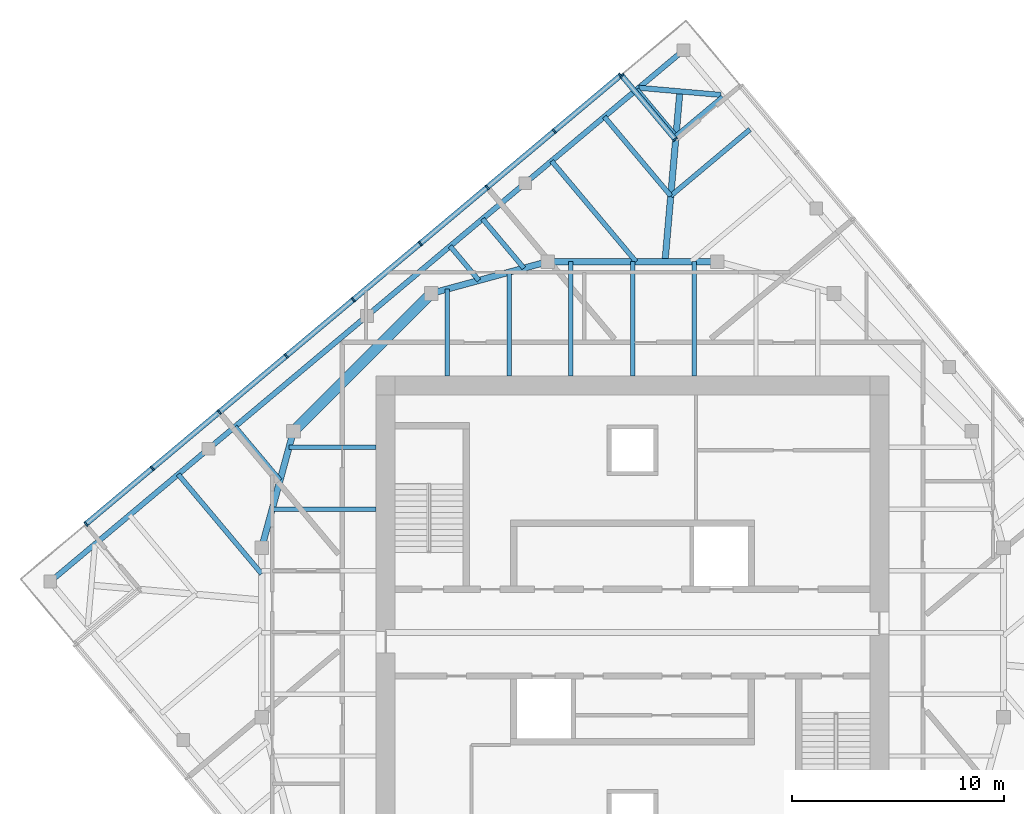
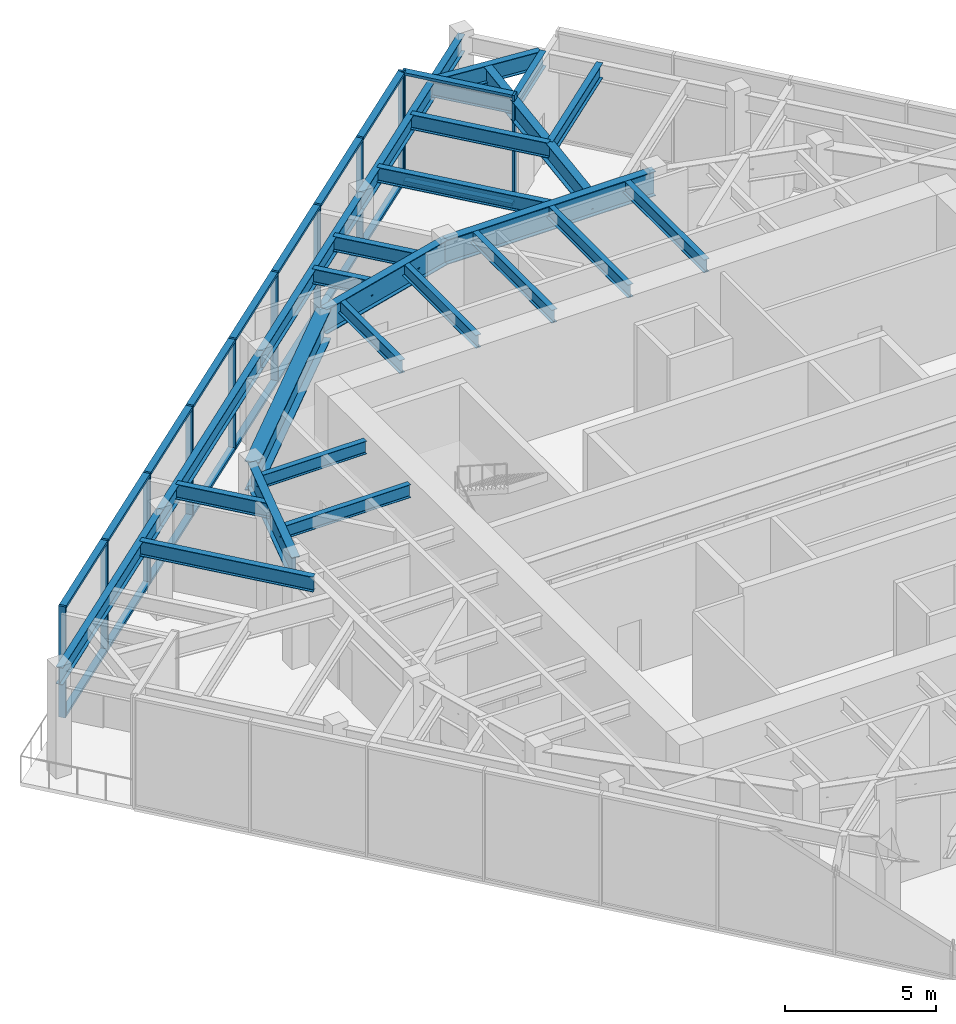
# One storey, part 5 of 11: 29 members, 26 beams, 2 elements without a shape of their own.
"""IFC4 building model written with IfcOpenShell, lengths in metres."""

from ifc_helpers import new_model, si_unit, direction, frame, origin, origin_2d, place, context, subcontext, project, spatial, rectangle, i_section, extrude, material, material_profile, profile_set, type_object, element, aggregate, save


model = new_model("IFC4")

# Units and contexts
model_context = context("Model", 3, precision=1e-05, world=origin(), true_north=direction((0.0, 1.0)))
body_context = subcontext(model_context, "Body", "Model", "MODEL_VIEW")
ifc_project = project(units=[si_unit("LENGTHUNIT", "METRE"), si_unit("AREAUNIT", "SQUARE_METRE"), si_unit("VOLUMEUNIT", "CUBIC_METRE"), si_unit("PLANEANGLEUNIT", "RADIAN"), si_unit("MASSUNIT", "GRAM", prefix="KILO")], contexts=[model_context])

# Site, building, storey
site_placement = place(None, origin())
site = spatial("IfcSite", under=ifc_project, at=site_placement, CompositionType="ELEMENT")
building_placement = place(site_placement, origin())
building = spatial("IfcBuilding", under=site, at=building_placement, Name="Torsade Residences", CompositionType="ELEMENT")
storey_placement = place(building_placement, frame((0.0, 0.0, 304.300048828125)))
storey = spatial("IfcBuildingStorey", under=building, at=storey_placement, Name="L84", CompositionType="ELEMENT", Elevation=304.300048828125)

# Beams
ifc_material_1 = material(Name="Steel grade 300", Category="steel")
ifc_material_profile_1 = material_profile(ifc_material_1, i_section(OverallWidth=0.300048828125, OverallDepth=0.800048828125, WebThickness=0.010009765625, FlangeThickness=0.02001953125, at=origin_2d()), Name="800WB146")
ifc_profile_set_1 = profile_set([ifc_material_profile_1], Name="Steel grade 300")
beam_type_1 = type_object("IfcBeamType", Name="CORNER GIRDER 800WB146", PredefinedType="BEAM", material=ifc_profile_set_1)
beam_1_placement = place(storey_placement, frame((42.234130859375, 55.53515625, 3.849853515625), z_axis=(-0.087172957961, -0.996193191806, 0.0), x_axis=(0.996193191806, -0.087172957961, 0.0)))
element("IfcBeam", 1, at=beam_1_placement, inside=storey, type_object=beam_type_1, Name="Corner girder 09 RF", PredefinedType="BEAM", context=body_context, shape_type="SweptSolid", body=[
    extrude(i_section(OverallWidth=0.300048828125, OverallDepth=0.800048828125, WebThickness=0.010009765625, FlangeThickness=0.02001953125, at=origin_2d()), origin(), (0.0, 0.0, 1.0), 8.06591796875),
])
ifc_material_2 = material(Name="Steel grade 300", Category="steel")
ifc_material_profile_2 = material_profile(ifc_material_2, i_section(OverallWidth=0.25, OverallDepth=0.699951171875, WebThickness=0.010009765625, FlangeThickness=0.02001953125, at=origin_2d()), Name="700WB130")
ifc_profile_set_2 = profile_set([ifc_material_profile_2], Name="Steel grade 300")
beam_type_2 = type_object("IfcBeamType", Name="CORNER TRIMMER 700WB130", PredefinedType="BEAM", material=ifc_profile_set_2)
beam_2_placement = place(storey_placement, frame((40.296875, 55.70458984375, 3.89990234375), z_axis=(0.996196646947, -0.087133464362, 0.0), x_axis=(0.087133464362, 0.996196646947, 0.0)))
element("IfcBeam", 2, at=beam_2_placement, inside=storey, type_object=beam_type_2, Name="Corner trimmer 09 RF", PredefinedType="BEAM", context=body_context, shape_type="SweptSolid", body=[
    extrude(i_section(OverallWidth=0.25, OverallDepth=0.699951171875, WebThickness=0.010009765625, FlangeThickness=0.02001953125, at=origin_2d()), origin(), (0.0, 0.0, 1.0), 3.88916015625),
])
ifc_material_3 = material(Name="Steel grade 300", Category="steel")
ifc_material_profile_3 = material_profile(ifc_material_3, i_section(OverallWidth=0.25, OverallDepth=0.699951171875, WebThickness=0.010009765625, FlangeThickness=0.02001953125, at=origin_2d()), Name="700WB130")
ifc_profile_set_3 = profile_set([ifc_material_profile_3], Name="Steel grade 300")
beam_type_3 = type_object("IfcBeamType", Name="EDGE BEAM 700WB130", PredefinedType="SPANDREL", material=ifc_profile_set_3)
for number, where, z_axis, x_axis, name in (
    (3, (42.403564453125, 57.47216796875, 3.89990234375), (-0.766051532934, -0.642779160279, 0.0), (0.642779160279, -0.766051532934, 0.0), "Edge beam 09 RF"),
    (4, (34.9345703125, 51.205078125, 3.89990234375), (-0.766051532934, -0.642779160279, 0.0), (0.642779160279, -0.766051532934, 0.0), "Edge beam 10 RF"),
    (5, (27.465576171875, 44.93798828125, 3.89990234375), (-0.766028856906, -0.642806184154, 0.0), (0.642806184154, -0.766028856906, 0.0), "Edge beam 11 RF"),
    (6, (19.996826171875, 38.670654296875, 3.89990234375), (-0.766051532934, -0.642779160279, 0.0), (0.642779160279, -0.766051532934, 0.0), "Edge beam 12 RF"),
):
    element("IfcBeam", number, at=place(storey_placement, frame(where, z_axis=z_axis, x_axis=x_axis)), inside=storey, type_object=beam_type_3, Name=name, PredefinedType="SPANDREL", context=body_context, shape_type="SweptSolid", body=[
        extrude(i_section(OverallWidth=0.25, OverallDepth=0.699951171875, WebThickness=0.010009765625, FlangeThickness=0.02001953125, at=origin_2d()), origin(), (0.0, 0.0, 1.0), 9.75),
    ])
ifc_material_4 = material(Name="Steel grade 300", Category="steel")
ifc_material_profile_4 = material_profile(ifc_material_4, i_section(OverallWidth=0.208984375, OverallDepth=0.528076171875, WebThickness=0.009521484375, FlangeThickness=0.01318359375, FilletRadius=0.013916015625, at=origin_2d()), Name="530UB82.0")
ifc_profile_set_4 = profile_set([ifc_material_profile_4], Name="Steel grade 300")
beam_type_4 = type_object("IfcBeamType", Name="INNER FLOOR BEAM 530UB82.0", PredefinedType="JOIST", material=ifc_profile_set_4)
beam_3_placement = place(storey_placement, frame((31.262451171875, 42.10009765625, 3.98583984375), z_axis=(0.0, 1.0, 0.0), x_axis=(-1.0, 0.0, 0.0)))
element("IfcBeam", 7, at=beam_3_placement, inside=storey, type_object=beam_type_4, Name="Inner floor beam IN01 RF", PredefinedType="JOIST", context=body_context, shape_type="SweptSolid", body=[
    extrude(i_section(OverallWidth=0.208984375, OverallDepth=0.528076171875, WebThickness=0.009521484375, FlangeThickness=0.01318359375, FilletRadius=0.013916015625, at=origin_2d()), origin(), (0.0, 0.0, 1.0), 4.10791015625),
])
beam_4_placement = place(storey_placement, frame((34.175048828125, 42.10009765625, 3.98583984375), z_axis=(0.0, 1.0, 0.0), x_axis=(-1.0, 0.0, 0.0)))
element("IfcBeam", 8, at=beam_4_placement, inside=storey, type_object=beam_type_4, Name="Inner floor beam IN02 RF", PredefinedType="JOIST", context=body_context, shape_type="SweptSolid", body=[
    extrude(i_section(OverallWidth=0.208984375, OverallDepth=0.528076171875, WebThickness=0.009521484375, FlangeThickness=0.01318359375, FilletRadius=0.013916015625, at=origin_2d()), origin(), (0.0, 0.0, 1.0), 4.902099609375),
])
for number, where, z_axis, x_axis, name in (
    (9, (37.08740234375, 42.10009765625, 3.98583984375), (0.0, 1.0, 0.0), (-1.0, 0.0, 0.0), "Inner floor beam IN03 RF"),
    (10, (40.0, 42.10009765625, 3.98583984375), (0.0, 1.0, 0.0), (-1.0, 0.0, 0.0), "Inner floor beam IN04 RF"),
    (11, (42.91259765625, 42.10009765625, 3.98583984375), (0.0, 1.0, 0.0), (-1.0, 0.0, 0.0), "Inner floor beam IN05 RF"),
):
    element("IfcBeam", number, at=place(storey_placement, frame(where, z_axis=z_axis, x_axis=x_axis)), inside=storey, type_object=beam_type_4, Name=name, PredefinedType="JOIST", context=body_context, shape_type="SweptSolid", body=[
        extrude(i_section(OverallWidth=0.208984375, OverallDepth=0.528076171875, WebThickness=0.009521484375, FlangeThickness=0.01318359375, FilletRadius=0.013916015625, at=origin_2d()), origin(), (0.0, 0.0, 1.0), 5.39990234375),
    ])
beam_5_placement = place(storey_placement, frame((27.89990234375, 38.737548828125, 3.98583984375), z_axis=(-1.0, 0.0, 0.0), x_axis=(0.0, -1.0, 0.0)))
element("IfcBeam", 12, at=beam_5_placement, inside=storey, type_object=beam_type_4, Name="Inner floor beam IW01 RF", PredefinedType="JOIST", context=body_context, shape_type="SweptSolid", body=[
    extrude(i_section(OverallWidth=0.208984375, OverallDepth=0.528076171875, WebThickness=0.009521484375, FlangeThickness=0.01318359375, FilletRadius=0.013916015625, at=origin_2d()), origin(), (0.0, 0.0, 1.0), 4.10791015625),
])
beam_6_placement = place(storey_placement, frame((27.89990234375, 35.824951171875, 3.98583984375), z_axis=(-1.0, 0.0, 0.0), x_axis=(0.0, -1.0, 0.0)))
element("IfcBeam", 13, at=beam_6_placement, inside=storey, type_object=beam_type_4, Name="Inner floor beam IW02 RF", PredefinedType="JOIST", context=body_context, shape_type="SweptSolid", body=[
    extrude(i_section(OverallWidth=0.208984375, OverallDepth=0.528076171875, WebThickness=0.009521484375, FlangeThickness=0.01318359375, FilletRadius=0.013916015625, at=origin_2d()), origin(), (0.0, 0.0, 1.0), 4.902099609375),
])

# Curtain wall, members
ifc_material_5 = material(Name="Aluminium and glass", Category="aluminium")
curtain_wall_type = type_object("IfcCurtainWallType", Name="PLANT LEVEL LOUVRED CURTAIN WALL", PredefinedType="NOTDEFINED", material=ifc_material_5)
curtain_wall_1_placement = place(storey_placement, origin())
curtain_wall_1 = element("IfcCurtainWall", 14, at=curtain_wall_1_placement, inside=storey, type_object=curtain_wall_type, Name="Curtain wall L84 face 6", PredefinedType="NOTDEFINED")
ifc_material_6 = material(Name="Aluminium mullion", Category="aluminium")
ifc_material_profile_5 = material_profile(ifc_material_6, rectangle(XDim=0.25, YDim=0.080078125, at=origin_2d()), Name="LOUVRE WALL MULLION 250x80")
ifc_profile_set_5 = profile_set([ifc_material_profile_5], Name="Aluminium mullion")
member_type_1 = type_object("IfcMemberType", Name="LOUVRE WALL MULLION 250x80", PredefinedType="MULLION", material=ifc_profile_set_5)
member_1_placement = place(storey_placement, frame((42.008056640625, 53.2763671875, 0.0), z_axis=(0.0, 0.0, 1.0), x_axis=(-0.766044397526, -0.642787664022, 0.0)))
member_1 = element("IfcMember", 15, at=member_1_placement, type_object=member_type_1, Name="Mullion 1", PredefinedType="MULLION", context=body_context, shape_type="SweptSolid", body=[
    extrude(rectangle(XDim=0.25, YDim=0.080078125, at=origin_2d()), origin(), (0.0, 0.0, 1.0), 4.5),
])
member_2_placement = place(storey_placement, frame((39.48828125, 56.279296875, 0.0), z_axis=(0.0, 0.0, 1.0), x_axis=(-0.766044397526, -0.642787664022, 0.0)))
member_2 = element("IfcMember", 16, at=member_2_placement, type_object=member_type_1, Name="Mullion 2", PredefinedType="MULLION", context=body_context, shape_type="SweptSolid", body=[
    extrude(rectangle(XDim=0.25, YDim=0.080078125, at=origin_2d()), origin(), (0.0, 0.0, 1.0), 4.5),
])

curtain_wall_2_placement = place(storey_placement, origin())
curtain_wall_2 = element("IfcCurtainWall", 17, at=curtain_wall_2_placement, inside=storey, type_object=curtain_wall_type, Name="Curtain wall L84 face 7", PredefinedType="NOTDEFINED")
member_3_placement = place(storey_placement, frame((39.431884765625, 56.2841796875, 0.0), z_axis=(0.0, 0.0, 1.0), x_axis=(0.642787616853, -0.766044437106, 0.0)))
member_3 = element("IfcMember", 18, at=member_3_placement, type_object=member_type_1, Name="Mullion 1", PredefinedType="MULLION", context=body_context, shape_type="SweptSolid", body=[
    extrude(rectangle(XDim=0.25, YDim=0.080078125, at=origin_2d()), origin(), (0.0, 0.0, 1.0), 4.5),
])
member_4_placement = place(storey_placement, frame((36.302734375, 53.658447265625, 0.0), z_axis=(0.0, 0.0, 1.0), x_axis=(0.642787616853, -0.766044437106, 0.0)))
member_4 = element("IfcMember", 19, at=member_4_placement, type_object=member_type_1, Name="Mullion 2", PredefinedType="MULLION", context=body_context, shape_type="SweptSolid", body=[
    extrude(rectangle(XDim=0.25, YDim=0.080078125, at=origin_2d()), origin(), (0.0, 0.0, 1.0), 4.5),
])
member_5_placement = place(storey_placement, frame((33.142822265625, 51.0068359375, 0.0), z_axis=(0.0, 0.0, 1.0), x_axis=(0.642787616853, -0.766044437106, 0.0)))
member_5 = element("IfcMember", 20, at=member_5_placement, type_object=member_type_1, Name="Mullion 3", PredefinedType="MULLION", context=body_context, shape_type="SweptSolid", body=[
    extrude(rectangle(XDim=0.25, YDim=0.080078125, at=origin_2d()), origin(), (0.0, 0.0, 1.0), 4.5),
])
member_6_placement = place(storey_placement, frame((29.982666015625, 48.35546875, 0.0), z_axis=(0.0, 0.0, 1.0), x_axis=(0.642787616853, -0.766044437106, 0.0)))
member_6 = element("IfcMember", 21, at=member_6_placement, type_object=member_type_1, Name="Mullion 4", PredefinedType="MULLION", context=body_context, shape_type="SweptSolid", body=[
    extrude(rectangle(XDim=0.25, YDim=0.080078125, at=origin_2d()), origin(), (0.0, 0.0, 1.0), 4.5),
])
member_7_placement = place(storey_placement, frame((26.82275390625, 45.703857421875, 0.0), z_axis=(0.0, 0.0, 1.0), x_axis=(0.642787616853, -0.766044437106, 0.0)))
member_7 = element("IfcMember", 22, at=member_7_placement, type_object=member_type_1, Name="Mullion 5", PredefinedType="MULLION", context=body_context, shape_type="SweptSolid", body=[
    extrude(rectangle(XDim=0.25, YDim=0.080078125, at=origin_2d()), origin(), (0.0, 0.0, 1.0), 4.5),
])
member_8_placement = place(storey_placement, frame((23.662841796875, 43.052490234375, 0.0), z_axis=(0.0, 0.0, 1.0), x_axis=(0.642787616853, -0.766044437106, 0.0)))
member_8 = element("IfcMember", 23, at=member_8_placement, type_object=member_type_1, Name="Mullion 6", PredefinedType="MULLION", context=body_context, shape_type="SweptSolid", body=[
    extrude(rectangle(XDim=0.25, YDim=0.080078125, at=origin_2d()), origin(), (0.0, 0.0, 1.0), 4.5),
])
member_9_placement = place(storey_placement, frame((20.5029296875, 40.40087890625, 0.0), z_axis=(0.0, 0.0, 1.0), x_axis=(0.642787616853, -0.766044437106, 0.0)))
member_9 = element("IfcMember", 24, at=member_9_placement, type_object=member_type_1, Name="Mullion 7", PredefinedType="MULLION", context=body_context, shape_type="SweptSolid", body=[
    extrude(rectangle(XDim=0.25, YDim=0.080078125, at=origin_2d()), origin(), (0.0, 0.0, 1.0), 4.5),
])
member_10_placement = place(storey_placement, frame((17.343017578125, 37.74951171875, 0.0), z_axis=(0.0, 0.0, 1.0), x_axis=(0.642787616853, -0.766044437106, 0.0)))
member_10 = element("IfcMember", 25, at=member_10_placement, type_object=member_type_1, Name="Mullion 8", PredefinedType="MULLION", context=body_context, shape_type="SweptSolid", body=[
    extrude(rectangle(XDim=0.25, YDim=0.080078125, at=origin_2d()), origin(), (0.0, 0.0, 1.0), 4.5),
])
member_11_placement = place(storey_placement, frame((14.2138671875, 35.12353515625, 0.0), z_axis=(0.0, 0.0, 1.0), x_axis=(0.642787616853, -0.766044437106, 0.0)))
member_11 = element("IfcMember", 26, at=member_11_placement, type_object=member_type_1, Name="Mullion 9", PredefinedType="MULLION", context=body_context, shape_type="SweptSolid", body=[
    extrude(rectangle(XDim=0.25, YDim=0.080078125, at=origin_2d()), origin(), (0.0, 0.0, 1.0), 4.5),
])

# Member
ifc_material_7 = material(Name="Aluminium transom", Category="aluminium")
ifc_material_profile_6 = material_profile(ifc_material_7, rectangle(XDim=0.25, YDim=0.110107421875, at=origin_2d()), Name="LOUVRE WALL TRANSOM 250x110")
ifc_profile_set_6 = profile_set([ifc_material_profile_6], Name="Aluminium transom")
member_type_2 = type_object("IfcMemberType", Name="LOUVRE WALL TRANSOM 250x110", PredefinedType="USERDEFINED", material=ifc_profile_set_6)
member_12_placement = place(storey_placement, frame((41.982421875, 53.30712890625, 0.054931640625), z_axis=(-0.642844603577, 0.765996615953, 0.0), x_axis=(-0.765996615953, -0.642844603577, 0.0)))
member_12 = element("IfcMember", 27, at=member_12_placement, type_object=member_type_2, Name="Transom 1.1", ObjectType="TRANSOM", PredefinedType="USERDEFINED", context=body_context, shape_type="SweptSolid", body=[
    extrude(rectangle(XDim=0.25, YDim=0.110107421875, at=origin_2d()), origin(), (0.0, 0.0, 1.0), 3.840087890625),
])

member_13_placement = place(storey_placement, frame((41.982421875, 53.30712890625, 4.445068359375), z_axis=(-0.642844603577, 0.765996615953, 0.0), x_axis=(-0.765996615953, -0.642844603577, 0.0)))
member_13 = element("IfcMember", 28, at=member_13_placement, type_object=member_type_2, Name="Transom 1.2", ObjectType="TRANSOM", PredefinedType="USERDEFINED", context=body_context, shape_type="SweptSolid", body=[
    extrude(rectangle(XDim=0.25, YDim=0.110107421875, at=origin_2d()), origin(), (0.0, 0.0, 1.0), 3.840087890625),
])

aggregate(curtain_wall_1, [member_1, member_2, member_12, member_13])

member_14_placement = place(storey_placement, frame((39.4013671875, 56.258544921875, 0.054931640625), z_axis=(-0.766043394532, -0.642788859341, 0.0), x_axis=(0.642788859341, -0.766043394532, 0.0)))
member_14 = element("IfcMember", 29, at=member_14_placement, type_object=member_type_2, Name="Transom 1.1", ObjectType="TRANSOM", PredefinedType="USERDEFINED", context=body_context, shape_type="SweptSolid", body=[
    extrude(rectangle(XDim=0.25, YDim=0.110107421875, at=origin_2d()), origin(), (0.0, 0.0, 1.0), 4.005126953125),
])

member_15_placement = place(storey_placement, frame((39.4013671875, 56.258544921875, 4.445068359375), z_axis=(-0.766043394532, -0.642788859341, 0.0), x_axis=(0.642788859341, -0.766043394532, 0.0)))
member_15 = element("IfcMember", 30, at=member_15_placement, type_object=member_type_2, Name="Transom 1.2", ObjectType="TRANSOM", PredefinedType="USERDEFINED", context=body_context, shape_type="SweptSolid", body=[
    extrude(rectangle(XDim=0.25, YDim=0.110107421875, at=origin_2d()), origin(), (0.0, 0.0, 1.0), 4.005126953125),
])

member_16_placement = place(storey_placement, frame((36.27197265625, 53.6328125, 0.054931640625), z_axis=(-0.766040060023, -0.642792833221, 0.0), x_axis=(0.642792833221, -0.766040060023, 0.0)))
member_16 = element("IfcMember", 31, at=member_16_placement, type_object=member_type_2, Name="Transom 2.1", ObjectType="TRANSOM", PredefinedType="USERDEFINED", context=body_context, shape_type="SweptSolid", body=[
    extrude(rectangle(XDim=0.25, YDim=0.110107421875, at=origin_2d()), origin(), (0.0, 0.0, 1.0), 4.044921875),
])

member_17_placement = place(storey_placement, frame((36.27197265625, 53.6328125, 4.445068359375), z_axis=(-0.766040060023, -0.642792833221, 0.0), x_axis=(0.642792833221, -0.766040060023, 0.0)))
member_17 = element("IfcMember", 32, at=member_17_placement, type_object=member_type_2, Name="Transom 2.2", ObjectType="TRANSOM", PredefinedType="USERDEFINED", context=body_context, shape_type="SweptSolid", body=[
    extrude(rectangle(XDim=0.25, YDim=0.110107421875, at=origin_2d()), origin(), (0.0, 0.0, 1.0), 4.044921875),
])

member_18_placement = place(storey_placement, frame((33.112060546875, 50.981201171875, 0.054931640625), z_axis=(-0.766040060023, -0.642792833221, 0.0), x_axis=(0.642792833221, -0.766040060023, 0.0)))
member_18 = element("IfcMember", 33, at=member_18_placement, type_object=member_type_2, Name="Transom 3.1", ObjectType="TRANSOM", PredefinedType="USERDEFINED", context=body_context, shape_type="SweptSolid", body=[
    extrude(rectangle(XDim=0.25, YDim=0.110107421875, at=origin_2d()), origin(), (0.0, 0.0, 1.0), 4.044921875),
])

member_19_placement = place(storey_placement, frame((33.112060546875, 50.981201171875, 4.445068359375), z_axis=(-0.766040060023, -0.642792833221, 0.0), x_axis=(0.642792833221, -0.766040060023, 0.0)))
member_19 = element("IfcMember", 34, at=member_19_placement, type_object=member_type_2, Name="Transom 3.2", ObjectType="TRANSOM", PredefinedType="USERDEFINED", context=body_context, shape_type="SweptSolid", body=[
    extrude(rectangle(XDim=0.25, YDim=0.110107421875, at=origin_2d()), origin(), (0.0, 0.0, 1.0), 4.044921875),
])

member_20_placement = place(storey_placement, frame((29.9521484375, 48.32958984375, 0.054931640625), z_axis=(-0.766069780023, -0.642757413132, 0.0), x_axis=(0.642757413132, -0.766069780023, 0.0)))
member_20 = element("IfcMember", 35, at=member_20_placement, type_object=member_type_2, Name="Transom 4.1", ObjectType="TRANSOM", PredefinedType="USERDEFINED", context=body_context, shape_type="SweptSolid", body=[
    extrude(rectangle(XDim=0.25, YDim=0.110107421875, at=origin_2d()), origin(), (0.0, 0.0, 1.0), 4.044921875),
])

member_21_placement = place(storey_placement, frame((29.9521484375, 48.32958984375, 4.445068359375), z_axis=(-0.766069780023, -0.642757413132, 0.0), x_axis=(0.642757413132, -0.766069780023, 0.0)))
member_21 = element("IfcMember", 36, at=member_21_placement, type_object=member_type_2, Name="Transom 4.2", ObjectType="TRANSOM", PredefinedType="USERDEFINED", context=body_context, shape_type="SweptSolid", body=[
    extrude(rectangle(XDim=0.25, YDim=0.110107421875, at=origin_2d()), origin(), (0.0, 0.0, 1.0), 4.044921875),
])

member_22_placement = place(storey_placement, frame((26.792236328125, 45.67822265625, 0.054931640625), z_axis=(-0.766040060023, -0.642792833221, 0.0), x_axis=(0.642792833221, -0.766040060023, 0.0)))
member_22 = element("IfcMember", 37, at=member_22_placement, type_object=member_type_2, Name="Transom 5.1", ObjectType="TRANSOM", PredefinedType="USERDEFINED", context=body_context, shape_type="SweptSolid", body=[
    extrude(rectangle(XDim=0.25, YDim=0.110107421875, at=origin_2d()), origin(), (0.0, 0.0, 1.0), 4.044921875),
])

member_23_placement = place(storey_placement, frame((26.792236328125, 45.67822265625, 4.445068359375), z_axis=(-0.766040060023, -0.642792833221, 0.0), x_axis=(0.642792833221, -0.766040060023, 0.0)))
member_23 = element("IfcMember", 38, at=member_23_placement, type_object=member_type_2, Name="Transom 5.2", ObjectType="TRANSOM", PredefinedType="USERDEFINED", context=body_context, shape_type="SweptSolid", body=[
    extrude(rectangle(XDim=0.25, YDim=0.110107421875, at=origin_2d()), origin(), (0.0, 0.0, 1.0), 4.044921875),
])

member_24_placement = place(storey_placement, frame((23.63232421875, 43.026611328125, 0.054931640625), z_axis=(-0.766040060023, -0.642792833221, 0.0), x_axis=(0.642792833221, -0.766040060023, 0.0)))
member_24 = element("IfcMember", 39, at=member_24_placement, type_object=member_type_2, Name="Transom 6.1", ObjectType="TRANSOM", PredefinedType="USERDEFINED", context=body_context, shape_type="SweptSolid", body=[
    extrude(rectangle(XDim=0.25, YDim=0.110107421875, at=origin_2d()), origin(), (0.0, 0.0, 1.0), 4.044921875),
])

member_25_placement = place(storey_placement, frame((23.63232421875, 43.026611328125, 4.445068359375), z_axis=(-0.766040060023, -0.642792833221, 0.0), x_axis=(0.642792833221, -0.766040060023, 0.0)))
member_25 = element("IfcMember", 40, at=member_25_placement, type_object=member_type_2, Name="Transom 6.2", ObjectType="TRANSOM", PredefinedType="USERDEFINED", context=body_context, shape_type="SweptSolid", body=[
    extrude(rectangle(XDim=0.25, YDim=0.110107421875, at=origin_2d()), origin(), (0.0, 0.0, 1.0), 4.044921875),
])

member_26_placement = place(storey_placement, frame((20.472412109375, 40.375244140625, 0.054931640625), z_axis=(-0.766040060023, -0.642792833221, 0.0), x_axis=(0.642792833221, -0.766040060023, 0.0)))
member_26 = element("IfcMember", 41, at=member_26_placement, type_object=member_type_2, Name="Transom 7.1", ObjectType="TRANSOM", PredefinedType="USERDEFINED", context=body_context, shape_type="SweptSolid", body=[
    extrude(rectangle(XDim=0.25, YDim=0.110107421875, at=origin_2d()), origin(), (0.0, 0.0, 1.0), 4.044921875),
])

member_27_placement = place(storey_placement, frame((20.472412109375, 40.375244140625, 4.445068359375), z_axis=(-0.766040060023, -0.642792833221, 0.0), x_axis=(0.642792833221, -0.766040060023, 0.0)))
member_27 = element("IfcMember", 42, at=member_27_placement, type_object=member_type_2, Name="Transom 7.2", ObjectType="TRANSOM", PredefinedType="USERDEFINED", context=body_context, shape_type="SweptSolid", body=[
    extrude(rectangle(XDim=0.25, YDim=0.110107421875, at=origin_2d()), origin(), (0.0, 0.0, 1.0), 4.044921875),
])

member_28_placement = place(storey_placement, frame((17.3125, 37.7236328125, 0.054931640625), z_axis=(-0.766073410227, -0.642753086451, 0.0), x_axis=(0.642753086451, -0.766073410227, 0.0)))
member_28 = element("IfcMember", 43, at=member_28_placement, type_object=member_type_2, Name="Transom 8.1", ObjectType="TRANSOM", PredefinedType="USERDEFINED", context=body_context, shape_type="SweptSolid", body=[
    extrude(rectangle(XDim=0.25, YDim=0.110107421875, at=origin_2d()), origin(), (0.0, 0.0, 1.0), 4.0048828125),
])

member_29_placement = place(storey_placement, frame((17.3125, 37.7236328125, 4.445068359375), z_axis=(-0.766073410227, -0.642753086451, 0.0), x_axis=(0.642753086451, -0.766073410227, 0.0)))
member_29 = element("IfcMember", 44, at=member_29_placement, type_object=member_type_2, Name="Transom 8.2", ObjectType="TRANSOM", PredefinedType="USERDEFINED", context=body_context, shape_type="SweptSolid", body=[
    extrude(rectangle(XDim=0.25, YDim=0.110107421875, at=origin_2d()), origin(), (0.0, 0.0, 1.0), 4.0048828125),
])

aggregate(curtain_wall_2, [member_3, member_4, member_5, member_6, member_7, member_8, member_9, member_10, member_11, member_14, member_15, member_16, member_17, member_18, member_19, member_20, member_21, member_22, member_23, member_24, member_25, member_26, member_27, member_28, member_29])

# Beams
ifc_material_8 = material(Name="Steel grade 300", Category="steel")
ifc_material_profile_7 = material_profile(ifc_material_8, i_section(OverallWidth=0.5, OverallDepth=1.199951171875, WebThickness=0.01611328125, FlangeThickness=0.0400390625, at=origin_2d()), Name="1200WB455")
ifc_profile_set_7 = profile_set([ifc_material_profile_7], Name="Steel grade 300")
beam_type_5 = type_object("IfcBeamType", Name="RING CORNER GIRDER 1200WB455", PredefinedType="BEAM", material=ifc_profile_set_7)
beam_7_placement = place(storey_placement, frame((30.5, 46.0, 3.64990234375), z_axis=(-0.707106781187, -0.707106781187, 0.0), x_axis=(0.707106781187, -0.707106781187, 0.0)))
element("IfcBeam", 45, at=beam_7_placement, inside=storey, type_object=beam_type_5, Name="Ring girder IR07 RF", PredefinedType="BEAM", context=body_context, shape_type="SweptSolid", body=[
    extrude(i_section(OverallWidth=0.5, OverallDepth=1.199951171875, WebThickness=0.01611328125, FlangeThickness=0.0400390625, at=origin_2d()), origin(), (0.0, 0.0, 1.0), 9.1923828125),
])
ifc_material_9 = material(Name="Steel grade 300", Category="steel")
ifc_material_profile_8 = material_profile(ifc_material_9, i_section(OverallWidth=0.300048828125, OverallDepth=1.0, WebThickness=0.01611328125, FlangeThickness=0.028076171875, at=origin_2d()), Name="1000WB215")
ifc_profile_set_8 = profile_set([ifc_material_profile_8], Name="Steel grade 300")
beam_type_6 = type_object("IfcBeamType", Name="RING GIRDER 1000WB215", PredefinedType="BEAM", material=ifc_profile_set_8)
beam_8_placement = place(storey_placement, frame((44.0, 47.5, 3.75), z_axis=(-1.0, 0.0, 0.0), x_axis=(0.0, -1.0, 0.0)))
element("IfcBeam", 46, at=beam_8_placement, inside=storey, type_object=beam_type_6, Name="Ring girder IR05 RF", PredefinedType="BEAM", context=body_context, shape_type="SweptSolid", body=[
    extrude(i_section(OverallWidth=0.300048828125, OverallDepth=1.0, WebThickness=0.01611328125, FlangeThickness=0.028076171875, at=origin_2d()), origin(), (0.0, 0.0, 1.0), 8.0),
])
for number, where, z_axis, x_axis, name in (
    (47, (36.0, 47.5, 3.75), (-0.964763821238, -0.263117405792, 0.0), (0.263117405792, -0.964763821238, 0.0), "Ring girder IR06 RF"),
    (48, (24.0, 39.5, 3.75), (-0.263117405792, -0.964763821238, 0.0), (0.964763821238, -0.263117405792, 0.0), "Ring girder IR08 RF"),
):
    element("IfcBeam", number, at=place(storey_placement, frame(where, z_axis=z_axis, x_axis=x_axis)), inside=storey, type_object=beam_type_6, Name=name, PredefinedType="BEAM", context=body_context, shape_type="SweptSolid", body=[
        extrude(i_section(OverallWidth=0.300048828125, OverallDepth=1.0, WebThickness=0.01611328125, FlangeThickness=0.028076171875, at=origin_2d()), origin(), (0.0, 0.0, 1.0), 5.700927734375),
    ])
ifc_material_10 = material(Name="Steel grade 300", Category="steel")
ifc_material_profile_9 = material_profile(ifc_material_10, i_section(OverallWidth=0.22900390625, OverallDepth=0.612060546875, WebThickness=0.011962890625, FlangeThickness=0.01953125, FilletRadius=0.013916015625, at=origin_2d()), Name="610UB125")
ifc_profile_set_9 = profile_set([ifc_material_profile_9], Name="Steel grade 300")
beam_type_7 = type_object("IfcBeamType", Name="SECONDARY BEAM 610UB125", PredefinedType="JOIST", material=ifc_profile_set_9)
beam_9_placement = place(storey_placement, frame((45.537109375, 53.73779296875, 3.94384765625), z_axis=(-0.766041186946, -0.642791490223, 0.0), x_axis=(0.642791490223, -0.766041186946, 0.0)))
element("IfcBeam", 49, at=beam_9_placement, inside=storey, type_object=beam_type_7, Name="Floor beam FE11 RF", PredefinedType="JOIST", context=body_context, shape_type="SweptSolid", body=[
    extrude(i_section(OverallWidth=0.22900390625, OverallDepth=0.612060546875, WebThickness=0.011962890625, FlangeThickness=0.01953125, FilletRadius=0.013916015625, at=origin_2d()), origin(), (0.0, 0.0, 1.0), 4.875),
])
for number, where, z_axis, x_axis, name in (
    (50, (44.25146484375, 55.269775390625, 3.94384765625), (-0.766066093402, -0.642761807001, 0.0), (0.642761807001, -0.766066093402, 0.0), "Floor beam FE12 RF"),
    (51, (40.201171875, 55.624267578125, 3.94384765625), (0.642761807001, -0.766066093402, 0.0), (0.766066093402, 0.642761807001, 0.0), "Floor beam FN01 RF"),
):
    element("IfcBeam", number, at=place(storey_placement, frame(where, z_axis=z_axis, x_axis=x_axis)), inside=storey, type_object=beam_type_7, Name=name, PredefinedType="JOIST", context=body_context, shape_type="SweptSolid", body=[
        extrude(i_section(OverallWidth=0.22900390625, OverallDepth=0.612060546875, WebThickness=0.011962890625, FlangeThickness=0.01953125, FilletRadius=0.013916015625, at=origin_2d()), origin(), (0.0, 0.0, 1.0), 2.875),
    ])
beam_10_placement = place(storey_placement, frame((38.6689453125, 54.338623046875, 3.94384765625), z_axis=(0.642820877376, -0.766016526982, 0.0), x_axis=(0.766016526982, 0.642820877376, 0.0)))
element("IfcBeam", 52, at=beam_10_placement, inside=storey, type_object=beam_type_7, Name="Floor beam FN02 RF", PredefinedType="JOIST", context=body_context, shape_type="SweptSolid", body=[
    extrude(i_section(OverallWidth=0.22900390625, OverallDepth=0.612060546875, WebThickness=0.011962890625, FlangeThickness=0.01953125, FilletRadius=0.013916015625, at=origin_2d()), origin(), (0.0, 0.0, 1.0), 4.875),
])
beam_11_placement = place(storey_placement, frame((36.179443359375, 52.24951171875, 3.94384765625), z_axis=(0.642791209238, -0.766041422722, 0.0), x_axis=(0.766041422722, 0.642791209238, 0.0)))
element("IfcBeam", 53, at=beam_11_placement, inside=storey, type_object=beam_type_7, Name="Floor beam FN03 RF", PredefinedType="JOIST", context=body_context, shape_type="SweptSolid", body=[
    extrude(i_section(OverallWidth=0.22900390625, OverallDepth=0.612060546875, WebThickness=0.011962890625, FlangeThickness=0.01953125, FilletRadius=0.013916015625, at=origin_2d()), origin(), (0.0, 0.0, 1.0), 6.199951171875),
])
beam_12_placement = place(storey_placement, frame((32.923828125, 49.517822265625, 3.94384765625), z_axis=(0.64274480196, -0.766080361029, 0.0), x_axis=(0.766080361029, 0.64274480196, 0.0)))
element("IfcBeam", 54, at=beam_12_placement, inside=storey, type_object=beam_type_7, Name="Floor beam FN04 RF", PredefinedType="JOIST", context=body_context, shape_type="SweptSolid", body=[
    extrude(i_section(OverallWidth=0.22900390625, OverallDepth=0.612060546875, WebThickness=0.011962890625, FlangeThickness=0.01953125, FilletRadius=0.013916015625, at=origin_2d()), origin(), (0.0, 0.0, 1.0), 3.03466796875),
])
beam_13_placement = place(storey_placement, frame((31.3916015625, 48.232177734375, 3.94384765625), z_axis=(0.642771977004, -0.766057560226, 0.0), x_axis=(0.766057560226, 0.642771977004, 0.0)))
element("IfcBeam", 55, at=beam_13_placement, inside=storey, type_object=beam_type_7, Name="Floor beam FN05 RF", PredefinedType="JOIST", context=body_context, shape_type="SweptSolid", body=[
    extrude(i_section(OverallWidth=0.22900390625, OverallDepth=0.612060546875, WebThickness=0.011962890625, FlangeThickness=0.01953125, FilletRadius=0.013916015625, at=origin_2d()), origin(), (0.0, 0.0, 1.0), 2.113037109375),
])
beam_14_placement = place(storey_placement, frame((21.241455078125, 39.71533203125, 3.94384765625), z_axis=(0.642786956891, -0.766044990879, 0.0), x_axis=(0.766044990879, 0.642786956891, 0.0)))
element("IfcBeam", 56, at=beam_14_placement, inside=storey, type_object=beam_type_7, Name="Floor beam FN09 RF", PredefinedType="JOIST", context=body_context, shape_type="SweptSolid", body=[
    extrude(i_section(OverallWidth=0.22900390625, OverallDepth=0.612060546875, WebThickness=0.011962890625, FlangeThickness=0.01953125, FilletRadius=0.013916015625, at=origin_2d()), origin(), (0.0, 0.0, 1.0), 3.307861328125),
])
beam_15_placement = place(storey_placement, frame((18.560302734375, 37.465576171875, 3.94384765625), z_axis=(0.642794037701, -0.766039049329, 0.0), x_axis=(0.766039049329, 0.642794037701, 0.0)))
element("IfcBeam", 57, at=beam_15_placement, inside=storey, type_object=beam_type_7, Name="Floor beam FN10 RF", PredefinedType="JOIST", context=body_context, shape_type="SweptSolid", body=[
    extrude(i_section(OverallWidth=0.22900390625, OverallDepth=0.612060546875, WebThickness=0.011962890625, FlangeThickness=0.01953125, FilletRadius=0.013916015625, at=origin_2d()), origin(), (0.0, 0.0, 1.0), 6.12890625),
])

save(model, "model.ifc")
